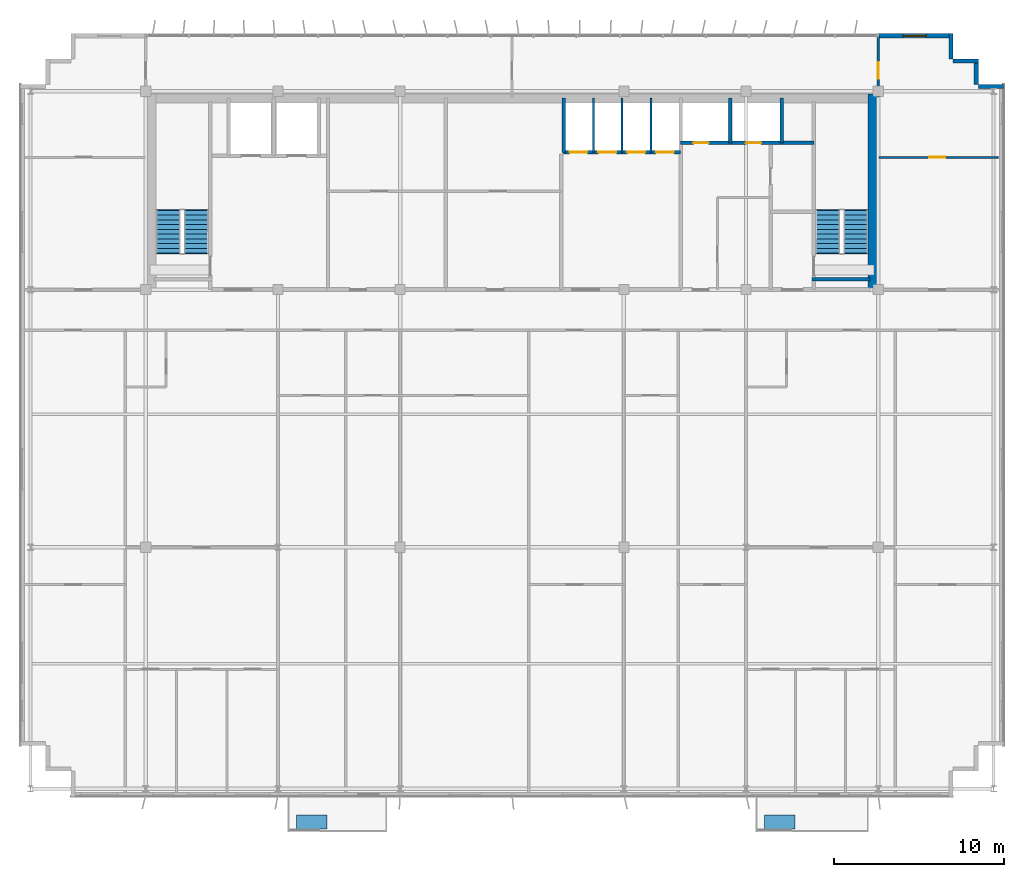
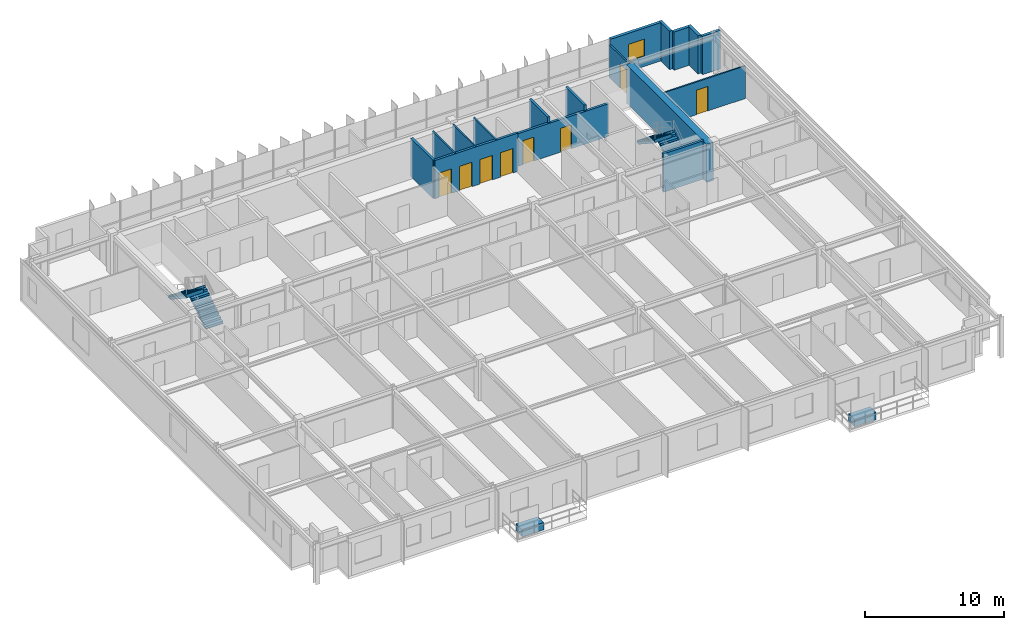
# One storey, part 20 of 22: 17 walls, 8 doors, 4 stair flights, 2 discrete accessories, 1 window, 9 openings, 2 elements without a shape of their own.
"""IFC4 building model written with IfcOpenShell, lengths in metres."""

import ifcopenshell
import ifcopenshell.guid

model = None  # the IFC model being written
_history = None  # IfcOwnerHistory: only IFC2X3 demands one
_inside = {}  # id of a spatial element -> (the spatial element, [elements in it])
_under = {}  # id of a project, library or spatial element -> (it, [spatial elements below it])
_declared = {}  # id of a project -> (the project, [libraries it declares])
_typed = {}  # id of a type object -> (the type object, [elements of that type])
_made_of = {}  # id of a material, layer set ... -> (it, [elements and type objects made of it])


def new_model(schema):
    """Start an empty IFC model of exactly this schema.

    Asked for "IFC4X3", IfcOpenShell would pick the latest addendum, in which some entities
    have other attributes; the version numbers below select the first issue.
    IFC2X3 requires an IfcOwnerHistory on every rooted entity: one is made here for all.
    """
    global model, _history
    if schema == "IFC4X3":
        model = ifcopenshell.file(schema_version=(4, 3, 0, 0))
    else:
        model = ifcopenshell.file(schema=schema)
    _inside.clear()
    _under.clear()
    _declared.clear()
    _typed.clear()
    _made_of.clear()
    _history = None
    if model.schema == "IFC2X3":
        org = make("IfcOrganization", Name="unknown")
        user = make(
            "IfcPersonAndOrganization",
            ThePerson=make("IfcPerson", FamilyName="unknown"),
            TheOrganization=org,
        )
        app = make(
            "IfcApplication",
            ApplicationDeveloper=org,
            Version="unknown",
            ApplicationFullName="unknown",
            ApplicationIdentifier="unknown",
        )
        _history = make(
            "IfcOwnerHistory",
            OwningUser=user,
            OwningApplication=app,
            ChangeAction="ADDED",
            CreationDate=0,
        )
    return model


def make(cls, **values):
    """One entity of the class cls with the attributes given. An attribute that is None is left unset."""
    return model.create_entity(
        cls, **{name: value for name, value in values.items() if value is not None}
    )


def rooted(cls, **values):
    """An entity with a GlobalId (a new one), such as an element, a storey or a relation."""
    return make(cls, GlobalId=ifcopenshell.guid.new(), OwnerHistory=_history, **values)


def si_unit(unit_type, name, prefix=None):
    """IfcSIUnit, for example si_unit("LENGTHUNIT", "METRE", prefix="MILLI")."""
    return make("IfcSIUnit", UnitType=unit_type, Prefix=prefix, Name=name)


def assignment(units):
    """IfcUnitAssignment: the units of a project."""
    return None if units is None else make("IfcUnitAssignment", Units=units)


def point(xyz):
    """IfcCartesianPoint."""
    return None if xyz is None else make("IfcCartesianPoint", Coordinates=xyz)


def direction(xyz):
    """IfcDirection."""
    return None if xyz is None else make("IfcDirection", DirectionRatios=xyz)


def frame(location, z_axis=None, x_axis=None):
    """IfcAxis2Placement3D, a coordinate frame: its origin and axes. An axis left out is left unset."""
    return make(
        "IfcAxis2Placement3D",
        Location=point(location),
        Axis=direction(z_axis),
        RefDirection=direction(x_axis),
    )


def frame_2d(location, x_axis=None):
    """IfcAxis2Placement2D, a coordinate frame in the plane: its origin and x axis."""
    return make(
        "IfcAxis2Placement2D", Location=point(location), RefDirection=direction(x_axis)
    )


def origin():
    """The frame at (0, 0, 0) with its axes left unset."""
    return frame((0.0, 0.0, 0.0))


def origin_2d():
    """The frame at (0, 0) in the plane with its x axis left unset."""
    return frame_2d((0.0, 0.0))


def place(relative_to, where):
    """IfcLocalPlacement: puts the frame where relative to a parent placement (None: the world)."""
    return make(
        "IfcLocalPlacement", PlacementRelTo=relative_to, RelativePlacement=where
    )


def context(
    kind, dimensions, precision=None, world=None, true_north=None, identifier=None
):
    """IfcGeometricRepresentationContext, for example the 3D "Model" context."""
    return make(
        "IfcGeometricRepresentationContext",
        ContextIdentifier=identifier,
        ContextType=kind,
        CoordinateSpaceDimension=dimensions,
        Precision=precision,
        WorldCoordinateSystem=world,
        TrueNorth=true_north,
    )


def subcontext(parent, identifier, kind, view, scale=None):
    """IfcGeometricRepresentationSubContext, for example "Body" below "Model"."""
    return make(
        "IfcGeometricRepresentationSubContext",
        ContextIdentifier=identifier,
        ContextType=kind,
        ParentContext=parent,
        TargetScale=scale,
        TargetView=view,
    )


def project(units=None, contexts=None):
    """IfcProject with its units and contexts."""
    return rooted(
        "IfcProject",
        Name="project",
        RepresentationContexts=contexts,
        UnitsInContext=assignment(units),
    )


def spatial(cls, under=None, at=None, **own):
    """A site, building, storey or space (cls), placed at a placement, below another one or the project."""
    s = rooted(cls, ObjectPlacement=at, **own)
    if under is not None:
        _under.setdefault(under.id(), (under, []))[1].append(s)
    return s


def polyline(points):
    """IfcPolyline through the points."""
    return make("IfcPolyline", Points=[point(p) for p in points])


def profile(cls, at=None, kind="AREA", **sizes):
    """A parametric profile (cls). Its sizes go by their IFC names, for example OverallWidth=200.0."""
    return make(cls, ProfileType=kind, Position=at, **sizes)


def rectangle(**sizes):
    """IfcRectangleProfileDef."""
    return profile("IfcRectangleProfileDef", **sizes)


def outline(outer, holes=None, kind="AREA"):
    """IfcArbitraryClosedProfileDef: a profile drawn as a closed curve; with holes, ...WithVoids."""
    if holes is None:
        return make("IfcArbitraryClosedProfileDef", ProfileType=kind, OuterCurve=outer)
    return make(
        "IfcArbitraryProfileDefWithVoids",
        ProfileType=kind,
        OuterCurve=outer,
        InnerCurves=holes,
    )


def extrude(swept, where, along, depth):
    """IfcExtrudedAreaSolid: the profile swept, set in the frame where, extruded along a direction by depth."""
    return make(
        "IfcExtrudedAreaSolid",
        SweptArea=swept,
        Position=where,
        ExtrudedDirection=direction(along),
        Depth=depth,
    )


def shape(context_of_items, identifier, shape_type, items):
    """IfcShapeRepresentation: the items that make up one representation, for example the "Body"."""
    return make(
        "IfcShapeRepresentation",
        ContextOfItems=context_of_items,
        RepresentationIdentifier=identifier,
        RepresentationType=shape_type,
        Items=items,
    )


def source(mapping_origin, context_of_items, identifier, shape_type, items):
    """IfcRepresentationMap: a shape defined once, which mapped items show again and again."""
    return make(
        "IfcRepresentationMap",
        MappingOrigin=mapping_origin,
        MappedRepresentation=shape(context_of_items, identifier, shape_type, items),
    )


def transform(
    local_origin,
    x_axis=None,
    y_axis=None,
    z_axis=None,
    scale=None,
    scale2=None,
    scale3=None,
    uniform=True,
):
    """IfcCartesianTransformationOperator3D, or its non-uniform kind. x_axis, y_axis, z_axis: its Axis1, 2, 3."""
    if uniform:
        return make(
            "IfcCartesianTransformationOperator3D",
            Axis1=direction(x_axis),
            Axis2=direction(y_axis),
            LocalOrigin=point(local_origin),
            Scale=scale,
            Axis3=direction(z_axis),
        )
    return make(
        "IfcCartesianTransformationOperator3DnonUniform",
        Axis1=direction(x_axis),
        Axis2=direction(y_axis),
        LocalOrigin=point(local_origin),
        Scale=scale,
        Axis3=direction(z_axis),
        Scale2=scale2,
        Scale3=scale3,
    )


def mapped(mapping_source, mapping_target):
    """IfcMappedItem: shows the shape of a source again, moved by a transform."""
    return make(
        "IfcMappedItem", MappingSource=mapping_source, MappingTarget=mapping_target
    )


def material(Name=None, Category=None):
    """IfcMaterial."""
    return make("IfcMaterial", Name=Name, Category=Category)


def layer(
    of_material, thickness, ventilated=None, Name=None, Category=None, Priority=None
):
    """IfcMaterialLayer: one layer of a wall or slab, of a material (None: an air gap)."""
    return make(
        "IfcMaterialLayer",
        Material=of_material,
        LayerThickness=thickness,
        IsVentilated=ventilated,
        Name=Name,
        Category=Category,
        Priority=Priority,
    )


def layer_set(layers, Name=None):
    """IfcMaterialLayerSet."""
    return make("IfcMaterialLayerSet", MaterialLayers=layers, LayerSetName=Name)


def made_of(thing, what):
    """Note that an element or type object is made of a material, layer set ...; save() writes the relation."""
    if what is not None:
        _made_of.setdefault(what.id(), (what, []))[1].append(thing)
    return thing


def type_object(cls, material=None, **own):
    """A type object (cls), such as IfcWallType, which elements share."""
    return made_of(rooted(cls, **own), material)


def element(
    cls,
    number,
    at=None,
    inside=None,
    cuts=None,
    type_object=None,
    material=None,
    context=None,
    identifier="Body",
    shape_type=None,
    held_by="IfcProductDefinitionShape",
    body=None,
    shapes=None,
    **own,
):
    """One element of the class cls, such as IfcWall. Its Tag is "e" and its number.

    at: its placement. inside: the storey or other place that contains it. cuts: it is an
    opening in that element (IfcRelVoidsElement). A single representation is given by context,
    identifier, shape_type and body (its items); several are given by shapes. held_by: the class
    of the entity that holds the representations. save() writes the other relations.
    """
    e = rooted(cls, Tag="e%d" % number, ObjectPlacement=at, **own)
    if body is not None:
        shapes = [shape(context, identifier, shape_type, body)]
    if shapes is not None:
        e.Representation = make(held_by, Representations=shapes)
    if inside is not None:
        _inside.setdefault(inside.id(), (inside, []))[1].append(e)
    if cuts is not None:
        rooted(
            "IfcRelVoidsElement", RelatingBuildingElement=cuts, RelatedOpeningElement=e
        )
    if type_object is not None:
        _typed.setdefault(type_object.id(), (type_object, []))[1].append(e)
    return made_of(e, material)


def fill(opening, filler):
    """IfcRelFillsElement: the door or window that sits in an opening."""
    return rooted(
        "IfcRelFillsElement",
        RelatingOpeningElement=opening,
        RelatedBuildingElement=filler,
    )


def aggregate(whole, parts):
    """IfcRelAggregates: a whole, such as a stair, and the parts it consists of."""
    return rooted("IfcRelAggregates", RelatingObject=whole, RelatedObjects=parts)


def save(model, path):
    """Write the relations noted so far, then the file.

    IfcRelAggregates (storeys below a building ...), IfcRelContainedInSpatialStructure (elements
    in a storey), IfcRelDefinesByType, IfcRelAssociatesMaterial and IfcRelDeclares: one each for
    every whole, place, type object, material and project.
    """
    for whole, parts in _under.values():
        aggregate(whole, parts)
    for where, things in _inside.values():
        rooted(
            "IfcRelContainedInSpatialStructure",
            RelatedElements=things,
            RelatingStructure=where,
        )
    for kind, things in _typed.values():
        rooted("IfcRelDefinesByType", RelatedObjects=things, RelatingType=kind)
    for what, things in _made_of.values():
        rooted("IfcRelAssociatesMaterial", RelatedObjects=things, RelatingMaterial=what)
    for by, libraries in _declared.values():
        rooted("IfcRelDeclares", RelatingContext=by, RelatedDefinitions=libraries)
    model.write(path)


model = new_model("IFC4")

# Units and contexts
model_context = context("Model", 3, precision=1e-05, world=origin(), true_north=direction((0.0, 1.0)))
body_context = subcontext(model_context, "Body", "Model", "MODEL_VIEW")
ifc_project = project(units=[si_unit("LENGTHUNIT", "METRE"), si_unit("AREAUNIT", "SQUARE_METRE"), si_unit("VOLUMEUNIT", "CUBIC_METRE"), si_unit("PLANEANGLEUNIT", "RADIAN"), si_unit("MASSUNIT", "GRAM", prefix="KILO")], contexts=[model_context])

# Site, building, storey
site_placement = place(None, origin())
site = spatial("IfcSite", under=ifc_project, at=site_placement, CompositionType="ELEMENT")
building_placement = place(site_placement, origin())
building = spatial("IfcBuilding", under=site, at=building_placement, Name="Trelvane Seafront Commons", CompositionType="ELEMENT")
storey_placement = place(building_placement, frame((0.0, 0.0, 281.10009765625)))
storey = spatial("IfcBuildingStorey", under=building, at=storey_placement, Name="L73", CompositionType="ELEMENT", Elevation=281.10009765625)

# Wall, opening, window
ifc_material_1 = material(Name="Precast concrete C40/50", Category="concrete")
ifc_layer_1 = layer(ifc_material_1, 0.239990234375, Name="ARCH-WALL-EXT240")
ifc_layer_set_1 = layer_set([ifc_layer_1], Name="Precast concrete C40/50")
wall_type_1 = type_object("IfcWallType", Name="ARCH-WALL-EXT240", PredefinedType="SOLIDWALL", material=ifc_layer_set_1)
wall_1_placement = place(storey_placement, frame((58.800048828125, 48.3701171875, 0.0), z_axis=(0.0, 0.0, 1.0), x_axis=(1.0, 0.0, 0.0)))
wall_1 = element("IfcWall", 1, at=wall_1_placement, inside=storey, type_object=wall_type_1, Name="EW-L73-NE-1467", PredefinedType="SOLIDWALL", context=body_context, shape_type="SweptSolid", body=[
    extrude(rectangle(XDim=4.300048828125, YDim=0.239990234375, at=frame_2d((2.14990234375, 0.0))), origin(), (0.0, 0.0, 1.0), 3.369873046875),
])
opening_1_placement = place(wall_1_placement, frame((1.47509765625, 0.0, 0.89990234375)))
opening_1 = element("IfcOpeningElement", 2, at=opening_1_placement, cuts=wall_1, Name="Opening W09", PredefinedType="OPENING", context=body_context, shape_type="SweptSolid", body=[
    extrude(rectangle(XDim=1.35009765625, YDim=1.5, at=frame_2d((0.675048828125, 0.75))), frame((0.0, 0.1298828125, 0.0), z_axis=(0.0, -1.0, 0.0), x_axis=(1.0, 0.0, 0.0)), (0.0, 0.0, 1.0), 0.260009765625),
])
ifc_material_2 = material(Name="Low-E coastal double glazing", Category="glass")
window_type = type_object("IfcWindowType", Name="ARCH-WIN-W09", PartitioningType="SINGLE_PANEL", PredefinedType="WINDOW", material=ifc_material_2)
shared_shape_1 = source(origin(), body_context, "Body", "SweptSolid", [
    extrude(rectangle(XDim=1.35009765625, YDim=1.5, at=frame_2d((0.675048828125, 0.75))), frame((0.0, 0.030029296875, 0.0), z_axis=(0.0, -1.0, 0.0), x_axis=(1.0, 0.0, 0.0)), (0.0, 0.0, 1.0), 0.06005859375),
])
window_placement = place(opening_1_placement, origin())
window = element("IfcWindow", 3, at=window_placement, inside=storey, type_object=window_type, Name="WIN-L73-01748", OverallHeight=1.5, OverallWidth=1.35009765625, PartitioningType="SINGLE_PANEL", PredefinedType="WINDOW", context=body_context, shape_type="MappedRepresentation", body=[
    mapped(shared_shape_1, transform((0.0, 0.0, 0.0), x_axis=(1.0, 0.0, 0.0), y_axis=(0.0, 1.0, 0.0), z_axis=(0.0, 0.0, 1.0), scale=1.0)),
])
fill(opening_1, window)

# Walls
for number, where, z_axis, x_axis, name in (
    (4, (63.080078125, 48.5, 0.0), (0.0, 0.0, 1.0), (0.0, -1.0, 0.0), "EW-L73-01476"),
    (5, (63.199951171875, 46.8798828125, 0.0), (0.0, 0.0, 1.0), (1.0, 0.0, 0.0), "EW-L73-01477"),
    (6, (64.580078125, 47.0, 0.0), (0.0, 0.0, 1.0), (0.0, -1.0, 0.0), "EW-L73-01478"),
    (7, (64.699951171875, 45.3798828125, 0.0), (0.0, 0.0, 1.0), (1.0, 0.0, 0.0), "EW-L73-01479"),
):
    element("IfcWall", number, at=place(storey_placement, frame(where, z_axis=z_axis, x_axis=x_axis)), inside=storey, type_object=wall_type_1, Name=name, PredefinedType="SOLIDWALL", context=body_context, shape_type="SweptSolid", body=[
        extrude(rectangle(XDim=1.5, YDim=0.239990234375, at=frame_2d((0.75, 0.0))), origin(), (0.0, 0.0, 1.0), 3.369873046875),
    ])
ifc_material_3 = material(Name="Gypsum Drywall Acoustic Partition")
ifc_layer_2 = layer(ifc_material_3, 0.1201171875, Name="ARCH-WALL-PART120")
ifc_layer_set_2 = layer_set([ifc_layer_2], Name="Gypsum Drywall Acoustic Partition")
wall_type_2 = type_object("IfcWallType", Name="ARCH-WALL-PART120", PredefinedType="PARTITIONING", material=ifc_layer_set_2)
for number, where, z_axis, x_axis, name in (
    (8, (42.0, 41.5, 0.0), (0.0, 0.0, 1.0), (0.0, 1.0, 0.0), "W-L73-PH-DIV1-020"),
    (9, (43.699951171875, 41.5, 0.0), (0.0, 0.0, 1.0), (0.0, 1.0, 0.0), "W-L73-PH-DIV2-021"),
    (10, (45.39990234375, 41.5, 0.0), (0.0, 0.0, 1.0), (0.0, 1.0, 0.0), "W-L73-PH-DIV3-022"),
):
    element("IfcWall", number, at=place(storey_placement, frame(where, z_axis=z_axis, x_axis=x_axis)), inside=storey, type_object=wall_type_2, Name=name, PredefinedType="PARTITIONING", context=body_context, shape_type="SweptSolid", body=[
        extrude(rectangle(XDim=3.199951171875, YDim=0.1201171875, at=frame_2d((1.60009765625, 0.0))), origin(), (0.0, 0.0, 1.0), 3.369873046875),
    ])

# Wall, opening, door
wall_2_placement = place(storey_placement, frame((58.85009765625, 41.199951171875, 0.0), z_axis=(0.0, 0.0, 1.0), x_axis=(1.0, 0.0, 0.0)))
wall_2 = element("IfcWall", 11, at=wall_2_placement, inside=storey, type_object=wall_type_2, Name="W-L73-NE-LGDV-037", PredefinedType="PARTITIONING", context=body_context, shape_type="SweptSolid", body=[
    extrude(rectangle(XDim=7.0498046875, YDim=0.1201171875, at=frame_2d((3.52490234375, 0.0))), origin(), (0.0, 0.0, 1.0), 2.869873046875),
])
opening_2_placement = place(wall_2_placement, frame((2.9580078125, 0.0, 0.0)))
opening_2 = element("IfcOpeningElement", 12, at=opening_2_placement, cuts=wall_2, Name="Opening D-L73-23", PredefinedType="OPENING", context=body_context, shape_type="SweptSolid", body=[
    extrude(rectangle(XDim=0.949951171875, YDim=2.14990234375, at=frame_2d((0.47509765625, 1.074951171875))), frame((0.0, 0.070068359375, 0.0), z_axis=(0.0, -1.0, 0.0), x_axis=(1.0, 0.0, 0.0)), (0.0, 0.0, 1.0), 0.14013671875),
])
ifc_material_4 = material(Name="Acoustic timber door leaf", Category="wood")
door_type_1 = type_object("IfcDoorType", Name="ARCH-DR-INT950", OperationType="NOTDEFINED", PredefinedType="DOOR", material=ifc_material_4)
shared_shape_2 = source(origin(), body_context, "Body", "SweptSolid", [
    extrude(rectangle(XDim=0.949951171875, YDim=2.14990234375, at=frame_2d((0.47509765625, 1.074951171875))), frame((0.0, 0.02490234375, 0.0), z_axis=(0.0, -1.0, 0.0), x_axis=(1.0, 0.0, 0.0)), (0.0, 0.0, 1.0), 0.050048828125),
])
door_1_placement = place(opening_2_placement, origin())
door_1 = element("IfcDoor", 13, at=door_1_placement, inside=storey, type_object=door_type_1, Name="L73 Door 23", OperationType="SINGLE_SWING_LEFT", OverallHeight=2.14990234375, OverallWidth=0.949951171875, PredefinedType="DOOR", context=body_context, shape_type="MappedRepresentation", body=[
    mapped(shared_shape_2, transform((0.0, 0.0, 0.0), x_axis=(1.0, 0.0, 0.0), y_axis=(0.0, 1.0, 0.0), z_axis=(0.0, 0.0, 1.0), scale=1.0)),
])
fill(opening_2, door_1)

ifc_layer_3 = layer(ifc_material_3, 0.14990234375, Name="ARCH-WALL-PART150")
ifc_layer_set_3 = layer_set([ifc_layer_3], Name="Gypsum Drywall Acoustic Partition")
wall_type_3 = type_object("IfcWallType", Name="ARCH-WALL-PART150", PredefinedType="PARTITIONING", material=ifc_layer_set_3)
wall_3_placement = place(storey_placement, frame((58.800048828125, 44.75, 0.0), z_axis=(0.0, 0.0, 1.0), x_axis=(0.0, 1.0, 0.0)))
wall_3 = element("IfcWall", 14, at=wall_3_placement, inside=storey, type_object=wall_type_3, Name="W-L73-N-LINK-E-041", PredefinedType="PARTITIONING", context=body_context, shape_type="SweptSolid", body=[
    extrude(rectangle(XDim=3.610107421875, YDim=0.14990234375, at=frame_2d((1.80517578125, 0.0))), origin(), (0.0, 0.0, 1.0), 2.869873046875),
])
opening_3_placement = place(wall_3_placement, frame((1.10009765625, 0.0, 0.0)))
opening_3 = element("IfcOpeningElement", 15, at=opening_3_placement, cuts=wall_3, Name="Opening FD-L73-27", PredefinedType="OPENING", context=body_context, shape_type="SweptSolid", body=[
    extrude(rectangle(XDim=0.949951171875, YDim=2.14990234375, at=frame_2d((0.47509765625, 1.074951171875))), frame((0.0, 0.0849609375, 0.0), z_axis=(0.0, -1.0, 0.0), x_axis=(1.0, 0.0, 0.0)), (0.0, 0.0, 1.0), 0.169921875),
])
ifc_material_5 = material(Name="Powder-coated aluminium frame", Category="aluminium")
door_type_2 = type_object("IfcDoorType", Name="ARCH-DR-FD60-950", OperationType="NOTDEFINED", PredefinedType="DOOR", material=ifc_material_5)
door_2_placement = place(opening_3_placement, origin())
door_2 = element("IfcDoor", 16, at=door_2_placement, inside=storey, type_object=door_type_2, Name="L73 Door 27", OperationType="SINGLE_SWING_LEFT", OverallHeight=2.14990234375, OverallWidth=0.949951171875, PredefinedType="DOOR", context=body_context, shape_type="MappedRepresentation", body=[
    mapped(shared_shape_2, transform((0.0, 0.0, 0.0), x_axis=(1.0, 0.0, 0.0), y_axis=(0.0, 1.0, 0.0), z_axis=(0.0, 0.0, 1.0), scale=1.0)),
])
fill(opening_3, door_2)

# Wall, openings, doors
ifc_material_6 = material(Name="Concrete C40/50", Category="concrete")
ifc_layer_4 = layer(ifc_material_6, 0.199951171875, Name="ARCH-WALL-SHAFT200")
ifc_layer_set_4 = layer_set([ifc_layer_4], Name="Concrete C40/50")
wall_type_4 = type_object("IfcWallType", Name="ARCH-WALL-SHAFT200", PredefinedType="SOLIDWALL", material=ifc_layer_set_4)
wall_4_placement = place(storey_placement, frame((40.25, 41.5, 0.0), z_axis=(0.0, 0.0, 1.0), x_axis=(1.0, 0.0, 0.0)))
wall_4 = element("IfcWall", 17, at=wall_4_placement, inside=storey, type_object=wall_type_4, Name="W-L73-PH-FRONT-018", PredefinedType="SOLIDWALL", context=body_context, shape_type="SweptSolid", body=[
    extrude(rectangle(XDim=6.89990234375, YDim=0.199951171875, at=frame_2d((3.449951171875, 0.0))), origin(), (0.0, 0.0, 1.0), 3.369873046875),
])
opening_4_placement = place(wall_4_placement, frame((0.35009765625, 0.0, 0.0)))
opening_4 = element("IfcOpeningElement", 18, at=opening_4_placement, cuts=wall_4, Name="Opening LD-PH1-L73", PredefinedType="OPENING", context=body_context, shape_type="SweptSolid", body=[
    extrude(rectangle(XDim=1.050048828125, YDim=2.14990234375, at=frame_2d((0.52490234375, 1.074951171875))), frame((0.0, 0.10986328125, 0.0), z_axis=(0.0, -1.0, 0.0), x_axis=(1.0, 0.0, 0.0)), (0.0, 0.0, 1.0), 0.219970703125),
])
opening_5_placement = place(wall_4_placement, frame((2.050048828125, 0.0, 0.0)))
opening_5 = element("IfcOpeningElement", 19, at=opening_5_placement, cuts=wall_4, Name="Opening LD-PH2-L73", PredefinedType="OPENING", context=body_context, shape_type="SweptSolid", body=[
    extrude(rectangle(XDim=1.050048828125, YDim=2.14990234375, at=frame_2d((0.52490234375, 1.074951171875))), frame((0.0, 0.10986328125, 0.0), z_axis=(0.0, -1.0, 0.0), x_axis=(1.0, 0.0, 0.0)), (0.0, 0.0, 1.0), 0.219970703125),
])
opening_6_placement = place(wall_4_placement, frame((3.75, 0.0, 0.0)))
opening_6 = element("IfcOpeningElement", 20, at=opening_6_placement, cuts=wall_4, Name="Opening LD-PH3-L73", PredefinedType="OPENING", context=body_context, shape_type="SweptSolid", body=[
    extrude(rectangle(XDim=1.050048828125, YDim=2.14990234375, at=frame_2d((0.52490234375, 1.074951171875))), frame((0.0, 0.10986328125, 0.0), z_axis=(0.0, -1.0, 0.0), x_axis=(1.0, 0.0, 0.0)), (0.0, 0.0, 1.0), 0.219970703125),
])
opening_7_placement = place(wall_4_placement, frame((5.449951171875, 0.0, 0.0)))
opening_7 = element("IfcOpeningElement", 21, at=opening_7_placement, cuts=wall_4, Name="Opening LD-PH4-L73", PredefinedType="OPENING", context=body_context, shape_type="SweptSolid", body=[
    extrude(rectangle(XDim=1.050048828125, YDim=2.14990234375, at=frame_2d((0.52490234375, 1.074951171875))), frame((0.0, 0.10986328125, 0.0), z_axis=(0.0, -1.0, 0.0), x_axis=(1.0, 0.0, 0.0)), (0.0, 0.0, 1.0), 0.219970703125),
])
ifc_material_7 = material(Name="Stainless steel balustrade", Category="steel")
door_type_3 = type_object("IfcDoorType", Name="ARCH-DR-LD1050", OperationType="DOUBLE_DOOR_SLIDING", PredefinedType="DOOR", material=ifc_material_7)
shared_shape_3 = source(origin(), body_context, "Body", "SweptSolid", [
    extrude(rectangle(XDim=1.050048828125, YDim=2.14990234375, at=frame_2d((0.52490234375, 1.074951171875))), frame((0.0, 0.02490234375, 0.0), z_axis=(0.0, -1.0, 0.0), x_axis=(1.0, 0.0, 0.0)), (0.0, 0.0, 1.0), 0.050048828125),
])
door_3_placement = place(opening_4_placement, origin())
door_3 = element("IfcDoor", 22, at=door_3_placement, inside=storey, type_object=door_type_3, Name="L73 Passenger Lift PH-1 Landing Door", OperationType="DOUBLE_DOOR_SLIDING", OverallHeight=2.14990234375, OverallWidth=1.050048828125, PredefinedType="DOOR", context=body_context, shape_type="MappedRepresentation", body=[
    mapped(shared_shape_3, transform((0.0, 0.0, 0.0), x_axis=(1.0, 0.0, 0.0), y_axis=(0.0, 1.0, 0.0), z_axis=(0.0, 0.0, 1.0), scale=1.0)),
])
fill(opening_4, door_3)
door_4_placement = place(opening_5_placement, origin())
door_4 = element("IfcDoor", 23, at=door_4_placement, inside=storey, type_object=door_type_3, Name="L73 Passenger Lift PH-2 Landing Door", OperationType="DOUBLE_DOOR_SLIDING", OverallHeight=2.14990234375, OverallWidth=1.050048828125, PredefinedType="DOOR", context=body_context, shape_type="MappedRepresentation", body=[
    mapped(shared_shape_3, transform((0.0, 0.0, 0.0), x_axis=(1.0, 0.0, 0.0), y_axis=(0.0, 1.0, 0.0), z_axis=(0.0, 0.0, 1.0), scale=1.0)),
])
fill(opening_5, door_4)
door_5_placement = place(opening_6_placement, origin())
door_5 = element("IfcDoor", 24, at=door_5_placement, inside=storey, type_object=door_type_3, Name="L73 Passenger Lift PH-3 Landing Door", OperationType="DOUBLE_DOOR_SLIDING", OverallHeight=2.14990234375, OverallWidth=1.050048828125, PredefinedType="DOOR", context=body_context, shape_type="MappedRepresentation", body=[
    mapped(shared_shape_3, transform((0.0, 0.0, 0.0), x_axis=(1.0, 0.0, 0.0), y_axis=(0.0, 1.0, 0.0), z_axis=(0.0, 0.0, 1.0), scale=1.0)),
])
fill(opening_6, door_5)
door_6_placement = place(opening_7_placement, origin())
door_6 = element("IfcDoor", 25, at=door_6_placement, inside=storey, type_object=door_type_3, Name="L73 Passenger Lift PH-4 Landing Door", OperationType="DOUBLE_DOOR_SLIDING", OverallHeight=2.14990234375, OverallWidth=1.050048828125, PredefinedType="DOOR", context=body_context, shape_type="MappedRepresentation", body=[
    mapped(shared_shape_3, transform((0.0, 0.0, 0.0), x_axis=(1.0, 0.0, 0.0), y_axis=(0.0, 1.0, 0.0), z_axis=(0.0, 0.0, 1.0), scale=1.0)),
])
fill(opening_7, door_6)

# Wall
wall_5_placement = place(storey_placement, frame((40.25, 41.5, 0.0), z_axis=(0.0, 0.0, 1.0), x_axis=(0.0, 1.0, 0.0)))
element("IfcWall", 26, at=wall_5_placement, inside=storey, type_object=wall_type_4, Name="W-L73-PH-WEST-SH-019", PredefinedType="SOLIDWALL", context=body_context, shape_type="SweptSolid", body=[
    extrude(rectangle(XDim=3.199951171875, YDim=0.199951171875, at=frame_2d((1.60009765625, 0.0))), origin(), (0.0, 0.0, 1.0), 3.369873046875),
])

# Wall, openings, doors
wall_6_placement = place(storey_placement, frame((47.14990234375, 42.050048828125, 0.0), z_axis=(0.0, 0.0, 1.0), x_axis=(1.0, 0.0, 0.0)))
wall_6 = element("IfcWall", 27, at=wall_6_placement, inside=storey, type_object=wall_type_4, Name="W-L73-RSR-S-027", PredefinedType="SOLIDWALL", context=body_context, shape_type="SweptSolid", body=[
    extrude(rectangle(XDim=7.85009765625, YDim=0.199951171875, at=frame_2d((3.925048828125, 0.0))), origin(), (0.0, 0.0, 1.0), 2.869873046875),
])
opening_8_placement = place(wall_6_placement, frame((0.75, 0.0, 0.0)))
opening_8 = element("IfcOpeningElement", 28, at=opening_8_placement, cuts=wall_6, Name="Opening FD-L73-15", PredefinedType="OPENING", context=body_context, shape_type="SweptSolid", body=[
    extrude(rectangle(XDim=0.89990234375, YDim=2.10009765625, at=frame_2d((0.449951171875, 1.050048828125))), frame((0.0, 0.10986328125, 0.0), z_axis=(0.0, -1.0, 0.0), x_axis=(1.0, 0.0, 0.0)), (0.0, 0.0, 1.0), 0.219970703125),
])
opening_9_placement = place(wall_6_placement, frame((3.85009765625, 0.0, 0.0)))
opening_9 = element("IfcOpeningElement", 29, at=opening_9_placement, cuts=wall_6, Name="Opening FD-L73-16", PredefinedType="OPENING", context=body_context, shape_type="SweptSolid", body=[
    extrude(rectangle(XDim=0.89990234375, YDim=2.10009765625, at=frame_2d((0.449951171875, 1.050048828125))), frame((0.0, 0.10986328125, 0.0), z_axis=(0.0, -1.0, 0.0), x_axis=(1.0, 0.0, 0.0)), (0.0, 0.0, 1.0), 0.219970703125),
])
door_type_4 = type_object("IfcDoorType", Name="ARCH-DR-FD60-900", OperationType="NOTDEFINED", PredefinedType="DOOR", material=ifc_material_5)
shared_shape_4 = source(origin(), body_context, "Body", "SweptSolid", [
    extrude(rectangle(XDim=0.89990234375, YDim=2.10009765625, at=frame_2d((0.449951171875, 1.050048828125))), frame((0.0, 0.02490234375, 0.0), z_axis=(0.0, -1.0, 0.0), x_axis=(1.0, 0.0, 0.0)), (0.0, 0.0, 1.0), 0.050048828125),
])
door_7_placement = place(opening_8_placement, origin())
door_7 = element("IfcDoor", 30, at=door_7_placement, inside=storey, type_object=door_type_4, Name="L73 Electrical Riser Access Door", OperationType="SINGLE_SWING_LEFT", OverallHeight=2.10009765625, OverallWidth=0.89990234375, PredefinedType="DOOR", context=body_context, shape_type="MappedRepresentation", body=[
    mapped(shared_shape_4, transform((0.0, 0.0, 0.0), x_axis=(1.0, 0.0, 0.0), y_axis=(0.0, 1.0, 0.0), z_axis=(0.0, 0.0, 1.0), scale=1.0)),
])
fill(opening_8, door_7)
door_8_placement = place(opening_9_placement, origin())
door_8 = element("IfcDoor", 31, at=door_8_placement, inside=storey, type_object=door_type_4, Name="L73 Mechanical Riser Access Door", OperationType="SINGLE_SWING_RIGHT", OverallHeight=2.10009765625, OverallWidth=0.89990234375, PredefinedType="DOOR", context=body_context, shape_type="MappedRepresentation", body=[
    mapped(shared_shape_4, transform((0.0, 0.0, 0.0), x_axis=(1.0, 0.0, 0.0), y_axis=(0.0, 1.0, 0.0), z_axis=(0.0, 0.0, 1.0), scale=1.0)),
])
fill(opening_9, door_8)

# Walls
for number, where, z_axis, x_axis, name in (
    (32, (50.080078125, 42.050048828125, 0.0), (0.0, 0.0, 1.0), (0.0, 1.0, 0.0), "W-L73-RSR-DIV-028"),
    (33, (53.10009765625, 42.050048828125, 0.0), (0.0, 0.0, 1.0), (0.0, 1.0, 0.0), "W-L73-RSR-E-029"),
):
    element("IfcWall", number, at=place(storey_placement, frame(where, z_axis=z_axis, x_axis=x_axis)), inside=storey, type_object=wall_type_4, Name=name, PredefinedType="SOLIDWALL", context=body_context, shape_type="SweptSolid", body=[
        extrude(rectangle(XDim=2.64990234375, YDim=0.199951171875, at=frame_2d((1.324951171875, 0.0))), origin(), (0.0, 0.0, 1.0), 3.369873046875),
    ])
ifc_material_8 = material(Name="Concrete C50/60", Category="concrete")
ifc_layer_5 = layer(ifc_material_8, 0.550048828125, Name="STR-WALL-CORE550")
ifc_layer_set_5 = layer_set([ifc_layer_5], Name="Concrete C50/60")
wall_type_5 = type_object("IfcWallType", Name="STR-WALL-CORE550", PredefinedType="SHEAR", material=ifc_layer_set_5)
wall_7_placement = place(storey_placement, frame((58.47509765625, 33.39990234375, 0.0), z_axis=(0.0, 0.0, 1.0), x_axis=(0.0, 1.0, 0.0)))
element("IfcWall", 34, at=wall_7_placement, inside=storey, type_object=wall_type_5, Name="W-L73-CE-END-003", PredefinedType="SHEAR", context=body_context, shape_type="SweptSolid", body=[
    extrude(rectangle(XDim=11.550048828125, YDim=0.550048828125, at=frame_2d((5.77490234375, 0.0))), origin(), (0.0, 0.0, 1.0), 3.369873046875),
])
ifc_layer_6 = layer(ifc_material_8, 0.199951171875, Name="STR-WALL-STAIR200")
ifc_layer_set_6 = layer_set([ifc_layer_6], Name="Concrete C50/60")
wall_type_6 = type_object("IfcWallType", Name="STR-WALL-STAIR200", PredefinedType="SHEAR", material=ifc_layer_set_6)
wall_8_placement = place(storey_placement, frame((54.89990234375, 34.0, 0.0), z_axis=(0.0, 0.0, 1.0), x_axis=(1.0, 0.0, 0.0)))
element("IfcWall", 35, at=wall_8_placement, inside=storey, type_object=wall_type_6, Name="W-L73-ST2-S-006", PredefinedType="SHEAR", context=body_context, shape_type="SweptSolid", body=[
    extrude(rectangle(XDim=3.400146484375, YDim=0.199951171875, at=frame_2d((1.7001953125, 0.0))), origin(), (0.0, 0.0, 1.0), 3.369873046875),
])

# Stair, stair flights
stair_type_1 = type_object("IfcStairType", Name="ARCH-STR-ST-1-R20-180", PredefinedType="HALF_TURN_STAIR", material=ifc_material_6)
stair_1_placement = place(storey_placement, origin())
stair_1 = element("IfcStair", 36, at=stair_1_placement, inside=storey, type_object=stair_type_1, Name="L73 West Protected Firefighting Exit Stair ST-1", PredefinedType="HALF_TURN_STAIR")
stair_flight_type_1 = type_object("IfcStairFlightType", Name="ARCH-FLG-ST-1-R20-180", PredefinedType="STRAIGHT", material=ifc_material_6)
shared_shape_5 = source(origin(), body_context, "Body", "SweptSolid", [
    extrude(outline(polyline([(-0.050048828125, -0.02001953125), (-0.050048828125, 0.0), (0.0, 0.0), (0.0, 0.179931640625), (0.280029296875, 0.179931640625), (0.280029296875, 0.360107421875), (0.56005859375, 0.360107421875), (0.56005859375, 0.5400390625), (0.840087890625, 0.5400390625), (0.840087890625, 0.719970703125), (1.1201171875, 0.719970703125), (1.1201171875, 0.89990234375), (1.39990234375, 0.89990234375), (1.39990234375, 1.080078125), (1.679931640625, 1.080078125), (1.679931640625, 1.260009765625), (1.9599609375, 1.260009765625), (1.9599609375, 1.43994140625), (2.239990234375, 1.43994140625), (2.239990234375, 1.6201171875), (2.52001953125, 1.6201171875), (2.52001953125, 1.800048828125), (2.570068359375, 1.800048828125), (2.570068359375, 1.650146484375), (2.52001953125, 1.44189453125), (0.277099609375, -0.02001953125), (-0.050048828125, -0.02001953125)])), frame((0.0, 0.72509765625, 0.0), z_axis=(0.0, -1.0, 0.0), x_axis=(1.0, 0.0, 0.0)), (0.0, 0.0, 1.0), 1.449951171875),
])
stair_flight_1_placement = place(storey_placement, frame((18.574951171875, 35.550048828125, 0.0), z_axis=(0.0, 0.0, 1.0), x_axis=(0.0, 1.0, 0.0)))
stair_flight_1 = element("IfcStairFlight", 37, at=stair_flight_1_placement, type_object=stair_flight_type_1, Name="ST-1 flight 1", NumberOfRisers=10, NumberOfTreads=9, PredefinedType="STRAIGHT", RiserHeight=0.18, TreadLength=0.28, context=body_context, shape_type="MappedRepresentation", body=[
    mapped(shared_shape_5, transform((0.0, 0.0, 0.0), x_axis=(1.0, 0.0, 0.0), y_axis=(0.0, 1.0, 0.0), z_axis=(0.0, 0.0, 1.0), scale=1.0)),
])
stair_flight_2_placement = place(storey_placement, frame((16.925048828125, 38.070068359375, 1.7998046875), z_axis=(0.0, 0.0, 1.0), x_axis=(0.0, -1.0, 0.0)))
stair_flight_2 = element("IfcStairFlight", 38, at=stair_flight_2_placement, type_object=stair_flight_type_1, Name="ST-1 flight 2", NumberOfRisers=10, NumberOfTreads=9, PredefinedType="STRAIGHT", RiserHeight=0.18, TreadLength=0.28, context=body_context, shape_type="MappedRepresentation", body=[
    mapped(shared_shape_5, transform((0.0, 0.0, 0.0), x_axis=(1.0, 0.0, 0.0), y_axis=(0.0, 1.0, 0.0), z_axis=(0.0, 0.0, 1.0), scale=1.0)),
])
aggregate(stair_1, [stair_flight_1, stair_flight_2])

stair_type_2 = type_object("IfcStairType", Name="ARCH-STR-ST-2-R20-180", PredefinedType="HALF_TURN_STAIR", material=ifc_material_6)
stair_2_placement = place(storey_placement, origin())
stair_2 = element("IfcStair", 39, at=stair_2_placement, inside=storey, type_object=stair_type_2, Name="L73 East Protected Firefighting Exit Stair ST-2", PredefinedType="HALF_TURN_STAIR")
stair_flight_type_2 = type_object("IfcStairFlightType", Name="ARCH-FLG-ST-2-R20-180", PredefinedType="STRAIGHT", material=ifc_material_6)
stair_flight_3_placement = place(storey_placement, frame((57.47509765625, 35.550048828125, 0.0), z_axis=(0.0, 0.0, 1.0), x_axis=(0.0, 1.0, 0.0)))
stair_flight_3 = element("IfcStairFlight", 40, at=stair_flight_3_placement, type_object=stair_flight_type_2, Name="ST-2 flight 1", NumberOfRisers=10, NumberOfTreads=9, PredefinedType="STRAIGHT", RiserHeight=0.18, TreadLength=0.28, context=body_context, shape_type="MappedRepresentation", body=[
    mapped(shared_shape_5, transform((0.0, 0.0, 0.0), x_axis=(1.0, 0.0, 0.0), y_axis=(0.0, 1.0, 0.0), z_axis=(0.0, 0.0, 1.0), scale=1.0)),
])
stair_flight_4_placement = place(storey_placement, frame((55.824951171875, 38.070068359375, 1.7998046875), z_axis=(0.0, 0.0, 1.0), x_axis=(0.0, -1.0, 0.0)))
stair_flight_4 = element("IfcStairFlight", 41, at=stair_flight_4_placement, type_object=stair_flight_type_2, Name="ST-2 flight 2", NumberOfRisers=10, NumberOfTreads=9, PredefinedType="STRAIGHT", RiserHeight=0.18, TreadLength=0.28, context=body_context, shape_type="MappedRepresentation", body=[
    mapped(shared_shape_5, transform((0.0, 0.0, 0.0), x_axis=(1.0, 0.0, 0.0), y_axis=(0.0, 1.0, 0.0), z_axis=(0.0, 0.0, 1.0), scale=1.0)),
])
aggregate(stair_2, [stair_flight_3, stair_flight_4])

# Discrete accessories
discrete_accessory_type = type_object("IfcDiscreteAccessoryType", Name="ARCH-ACC-PLANTER", PredefinedType="USERDEFINED", material=ifc_material_1)
shared_shape_6 = source(origin(), body_context, "Body", "SweptSolid", [
    extrude(rectangle(XDim=1.800048828125, YDim=0.85009765625, at=origin_2d()), origin(), (0.0, 0.0, 1.0), 0.64990234375),
])
for number, where, z_axis, x_axis, name in (
    (42, (25.39990234375, 2.0, 0.0), (0.0, 0.0, 1.0), (1.0, 0.0, 0.0), "PLN-L73-B0-075"),
    (43, (53.0, 2.0, 0.0), (0.0, 0.0, 1.0), (1.0, 0.0, 0.0), "PLN-L73-B1-076"),
):
    element("IfcDiscreteAccessory", number, at=place(storey_placement, frame(where, z_axis=z_axis, x_axis=x_axis)), inside=storey, type_object=discrete_accessory_type, Name=name, ObjectType="BALCONY TREE PLANTER", PredefinedType="USERDEFINED", context=body_context, shape_type="MappedRepresentation", body=[
        mapped(shared_shape_6, transform((0.0, 0.0, 0.0), x_axis=(1.0, 0.0, 0.0), y_axis=(0.0, 1.0, 0.0), z_axis=(0.0, 0.0, 1.0), scale=1.0)),
    ])

save(model, "model.ifc")
